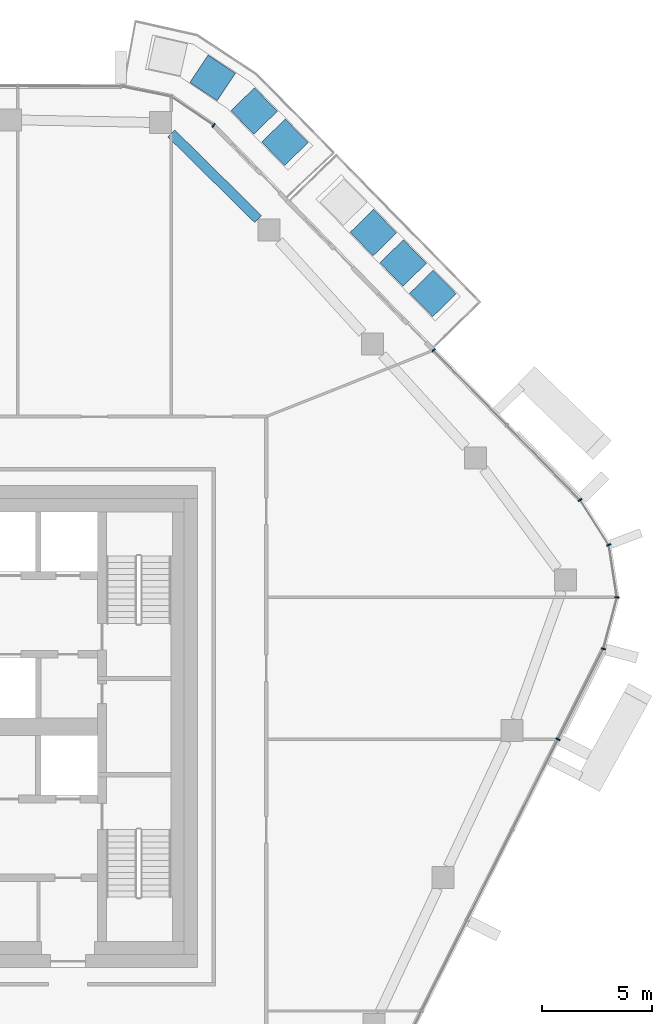
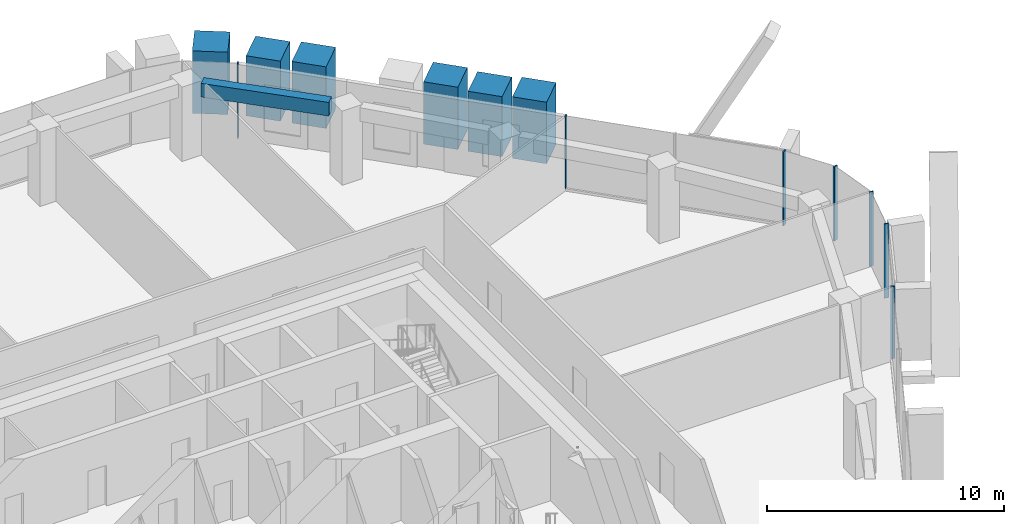
# One storey, part 10 of 24: 13 members, 1 beam, 4 elements without a shape of their own.
"""IFC4 building model written with IfcOpenShell, lengths in metres."""

from ifc_helpers import new_model, si_unit, direction, frame, origin, origin_2d, place, context, subcontext, project, spatial, rectangle, extrude, material, layer, layer_set, material_profile, profile_set, type_object, element, aggregate, save


model = new_model("IFC4")

# Units and contexts
model_context = context("Model", 3, precision=1e-05, world=origin(), true_north=direction((0.0, 1.0)))
body_context = subcontext(model_context, "Body", "Model", "MODEL_VIEW")
ifc_project = project(units=[si_unit("LENGTHUNIT", "METRE"), si_unit("AREAUNIT", "SQUARE_METRE"), si_unit("VOLUMEUNIT", "CUBIC_METRE"), si_unit("PLANEANGLEUNIT", "RADIAN"), si_unit("MASSUNIT", "GRAM", prefix="KILO")], contexts=[model_context])

# Site, building, storey
site_placement = place(None, origin())
site = spatial("IfcSite", under=ifc_project, at=site_placement, CompositionType="ELEMENT")
building_placement = place(site_placement, origin())
building = spatial("IfcBuilding", under=site, at=building_placement, Name="Dongbaek Canopy Tower", CompositionType="ELEMENT")
storey_placement = place(building_placement, frame((0.0, 0.0, 311.0)))
storey = spatial("IfcBuildingStorey", under=building, at=storey_placement, Name="L66", CompositionType="ELEMENT", Elevation=311.0)

# Curtain wall, members
ifc_material_1 = material(Name="Aluminium 6063-T6 pale anodised", Category="aluminium")
ifc_layer = layer(ifc_material_1, 0.199951171875)
ifc_layer_set = layer_set([ifc_layer], Name="CW-1 unitised tower curtain wall")
curtain_wall_type = type_object("IfcCurtainWallType", Name="CW-1 unitised tower curtain wall", PredefinedType="NOTDEFINED", material=ifc_layer_set)
curtain_wall_1_placement = place(storey_placement, origin())
curtain_wall_1 = element("IfcCurtainWall", 1, at=curtain_wall_1_placement, inside=storey, type_object=curtain_wall_type, Name="CW-1 curtain wall K0.1", PredefinedType="NOTDEFINED")
ifc_material_2 = material(Name="Aluminium 6063-T6 pale anodised", Category="aluminium")
ifc_material_profile_1 = material_profile(ifc_material_2, rectangle(XDim=0.199951171875, YDim=0.06005859375, at=origin_2d()), Name="CW-1 mullion 60 x 200")
ifc_profile_set_1 = profile_set([ifc_material_profile_1], Name="Aluminium 6063-T6 pale anodised")
member_type_1 = type_object("IfcMemberType", Name="CW-1 mullion 60 x 200", PredefinedType="MULLION", material=ifc_profile_set_1)
member_1_placement = place(storey_placement, frame((32.529541015625, 3.55126953125, 0.0), z_axis=(0.0, 0.0, 1.0), x_axis=(0.966753373375, -0.255710608049, 0.0)))
member_1 = element("IfcMember", 2, at=member_1_placement, type_object=member_type_1, Name="CW-1 mullion K0.1.1", PredefinedType="MULLION", context=body_context, shape_type="SweptSolid", body=[
    extrude(rectangle(XDim=0.199951171875, YDim=0.06005859375, at=origin_2d()), origin(), (0.0, 0.0, 1.0), 3.820068359375),
])
member_2_placement = place(storey_placement, frame((33.15087890625, 5.90087890625, 0.0), z_axis=(0.0, 0.0, 1.0), x_axis=(0.998649925147, -0.051945423314, 0.0)))
member_2 = element("IfcMember", 3, at=member_2_placement, type_object=member_type_1, Name="CW-1 mullion K0.1.2", PredefinedType="MULLION", context=body_context, shape_type="SweptSolid", body=[
    extrude(rectangle(XDim=0.199951171875, YDim=0.06005859375, at=origin_2d()), origin(), (0.0, 0.0, 1.0), 3.820068359375),
])
member_3_placement = place(storey_placement, frame((32.778076171875, 8.291748046875, 0.0), z_axis=(0.0, 0.0, 1.0), x_axis=(0.935452598022, 0.353452170532, 0.0)))
member_3 = element("IfcMember", 4, at=member_3_placement, type_object=member_type_1, Name="CW-1 mullion K0.1.3", PredefinedType="MULLION", context=body_context, shape_type="SweptSolid", body=[
    extrude(rectangle(XDim=0.199951171875, YDim=0.06005859375, at=origin_2d()), origin(), (0.0, 0.0, 1.0), 3.820068359375),
])
member_4_placement = place(storey_placement, frame((31.470947265625, 10.3408203125, 0.0), z_axis=(0.0, 0.0, 1.0), x_axis=(0.843046984311, 0.537839922509, 0.0)))
member_4 = element("IfcMember", 5, at=member_4_placement, type_object=member_type_1, Name="CW-1 mullion K0.1.4", PredefinedType="MULLION", context=body_context, shape_type="SweptSolid", body=[
    extrude(rectangle(XDim=0.199951171875, YDim=0.06005859375, at=origin_2d()), origin(), (0.0, 0.0, 1.0), 3.820068359375),
])
aggregate(curtain_wall_1, [member_1, member_2, member_3, member_4])

# Curtain wall, member
curtain_wall_2_placement = place(storey_placement, origin())
curtain_wall_2 = element("IfcCurtainWall", 6, at=curtain_wall_2_placement, inside=storey, type_object=curtain_wall_type, Name="CW-1 curtain wall F0.1", PredefinedType="NOTDEFINED")
member_5_placement = place(storey_placement, frame((24.7822265625, 17.17724609375, 0.1201171875), z_axis=(0.0, 0.0, 1.0), x_axis=(0.714780141035, 0.699349233203, 0.0)))
member_5 = element("IfcMember", 7, at=member_5_placement, type_object=member_type_1, Name="CW-1 mullion F0.1.3", PredefinedType="MULLION", context=body_context, shape_type="SweptSolid", body=[
    extrude(rectangle(XDim=0.199951171875, YDim=0.06005859375, at=origin_2d()), origin(), (0.0, 0.0, 1.0), 3.699951171875),
])
aggregate(curtain_wall_2, [member_5])

curtain_wall_3_placement = place(storey_placement, origin())
curtain_wall_3 = element("IfcCurtainWall", 8, at=curtain_wall_3_placement, inside=storey, type_object=curtain_wall_type, Name="CW-1 curtain wall K1.1", PredefinedType="NOTDEFINED")
member_6_placement = place(storey_placement, frame((14.7451171875, 27.435546875, 0.0), z_axis=(0.0, 0.0, 1.0), x_axis=(0.562806606992, 0.826588605732, 0.0)))
member_6 = element("IfcMember", 9, at=member_6_placement, type_object=member_type_1, Name="CW-1 mullion K1.1.1", PredefinedType="MULLION", context=body_context, shape_type="SweptSolid", body=[
    extrude(rectangle(XDim=0.199951171875, YDim=0.06005859375, at=origin_2d()), origin(), (0.0, 0.0, 1.0), 3.820068359375),
])
aggregate(curtain_wall_3, [member_6])

curtain_wall_4_placement = place(storey_placement, origin())
curtain_wall_4 = element("IfcCurtainWall", 10, at=curtain_wall_4_placement, inside=storey, type_object=curtain_wall_type, Name="CW-1 curtain wall F5.1", PredefinedType="NOTDEFINED")
member_7_placement = place(storey_placement, frame((30.459228515625, -0.573486328125, 0.1201171875), z_axis=(0.0, 0.0, 1.0), x_axis=(0.893733414129, -0.448598466859, 0.0)))
member_7 = element("IfcMember", 11, at=member_7_placement, type_object=member_type_1, Name="CW-1 mullion F5.1.7", PredefinedType="MULLION", context=body_context, shape_type="SweptSolid", body=[
    extrude(rectangle(XDim=0.199951171875, YDim=0.06005859375, at=origin_2d()), origin(), (0.0, 0.0, 1.0), 3.699951171875),
])
aggregate(curtain_wall_4, [member_7])

# Beam
ifc_material_3 = material(Name="Concrete C60", Category="concrete")
ifc_material_profile_2 = material_profile(ifc_material_3, rectangle(XDim=0.449951171875, YDim=0.699951171875, at=origin_2d()), Name="RC EDGE BEAM 450x700 C60")
ifc_profile_set_2 = profile_set([ifc_material_profile_2], Name="Concrete C60")
beam_type = type_object("IfcBeamType", Name="RC EDGE BEAM 450x700 C60", PredefinedType="BEAM", material=ifc_profile_set_2)
beam_placement = place(storey_placement, frame((12.81396484375, 27.069580078125, 3.469970703125), z_axis=(0.711740530271, -0.702442465665, 0.0), x_axis=(0.702442465665, 0.711740530271, 0.0)))
element("IfcBeam", 12, at=beam_placement, inside=storey, type_object=beam_type, Name="EDGEBEAM:L66:17", PredefinedType="BEAM", context=body_context, shape_type="SweptSolid", body=[
    extrude(rectangle(XDim=0.449951171875, YDim=0.699951171875, at=origin_2d()), origin(), (0.0, 0.0, 1.0), 5.56640625),
])

# Members
ifc_material_4 = material(Name="Concrete C40/50 planter mass with planting", Category="concrete")
ifc_material_profile_3 = material_profile(ifc_material_4, rectangle(XDim=1.5, YDim=1.5, at=origin_2d()), Name="Terrace PLANTER shrub mass 1500 x 1500")
ifc_profile_set_3 = profile_set([ifc_material_profile_3], Name="Concrete C40/50 planter mass with planting")
member_type_2 = type_object("IfcMemberType", Name="Terrace PLANTER shrub mass 1500 x 1500", PredefinedType="USERDEFINED", material=ifc_profile_set_3)
member_8_placement = place(storey_placement, frame((24.752685546875, 19.766845703125, 0.419921875), z_axis=(0.0, 0.0, 1.0), x_axis=(0.714780141035, 0.699349233203, 0.0)))
element("IfcMember", 13, at=member_8_placement, inside=storey, type_object=member_type_2, Name="Planter shrubs L66 1.1", ObjectType="PLANTER", PredefinedType="USERDEFINED", context=body_context, shape_type="SweptSolid", body=[
    extrude(rectangle(XDim=1.5, YDim=1.5, at=origin_2d()), origin(), (0.0, 0.0, 1.0), 3.170166015625),
])
member_9_placement = place(storey_placement, frame((23.393310546875, 21.15625, 0.419921875), z_axis=(0.0, 0.0, 1.0), x_axis=(0.714780141035, 0.699349233203, 0.0)))
element("IfcMember", 14, at=member_9_placement, inside=storey, type_object=member_type_2, Name="Planter shrubs L66 1.2", ObjectType="PLANTER", PredefinedType="USERDEFINED", context=body_context, shape_type="SweptSolid", body=[
    extrude(rectangle(XDim=1.5, YDim=1.5, at=origin_2d()), origin(), (0.0, 0.0, 1.0), 3.090087890625),
])
member_10_placement = place(storey_placement, frame((22.0341796875, 22.54541015625, 0.419921875), z_axis=(0.0, 0.0, 1.0), x_axis=(0.714780141035, 0.699349233203, 0.0)))
element("IfcMember", 15, at=member_10_placement, inside=storey, type_object=member_type_2, Name="Planter shrubs L66 1.3", ObjectType="PLANTER", PredefinedType="USERDEFINED", context=body_context, shape_type="SweptSolid", body=[
    extrude(rectangle(XDim=1.5, YDim=1.5, at=origin_2d()), origin(), (0.0, 0.0, 1.0), 3.2099609375),
])
member_11_placement = place(storey_placement, frame((17.999755859375, 26.666015625, 0.419921875), z_axis=(0.0, 0.0, 1.0), x_axis=(0.713325765474, 0.700832613619, 0.0)))
element("IfcMember", 16, at=member_11_placement, inside=storey, type_object=member_type_2, Name="Planter shrubs L66 5.1", ObjectType="PLANTER", PredefinedType="USERDEFINED", context=body_context, shape_type="SweptSolid", body=[
    extrude(rectangle(XDim=1.5, YDim=1.5, at=origin_2d()), origin(), (0.0, 0.0, 1.0), 3.170166015625),
])
member_12_placement = place(storey_placement, frame((16.59619140625, 28.09423828125, 0.419921875), z_axis=(0.0, 0.0, 1.0), x_axis=(0.713325765474, 0.700832613619, 0.0)))
element("IfcMember", 17, at=member_12_placement, inside=storey, type_object=member_type_2, Name="Planter shrubs L66 5.2", ObjectType="PLANTER", PredefinedType="USERDEFINED", context=body_context, shape_type="SweptSolid", body=[
    extrude(rectangle(XDim=1.5, YDim=1.5, at=origin_2d()), origin(), (0.0, 0.0, 1.0), 3.090087890625),
])
member_13_placement = place(storey_placement, frame((14.702392578125, 29.605224609375, 0.419921875), z_axis=(0.0, 0.0, 1.0), x_axis=(0.555614839947, 0.831439805176, 0.0)))
element("IfcMember", 18, at=member_13_placement, inside=storey, type_object=member_type_2, Name="Planter shrubs L66 5.3", ObjectType="PLANTER", PredefinedType="USERDEFINED", context=body_context, shape_type="SweptSolid", body=[
    extrude(rectangle(XDim=1.5, YDim=1.5, at=origin_2d()), origin(), (0.0, 0.0, 1.0), 3.2099609375),
])

save(model, "model.ifc")
